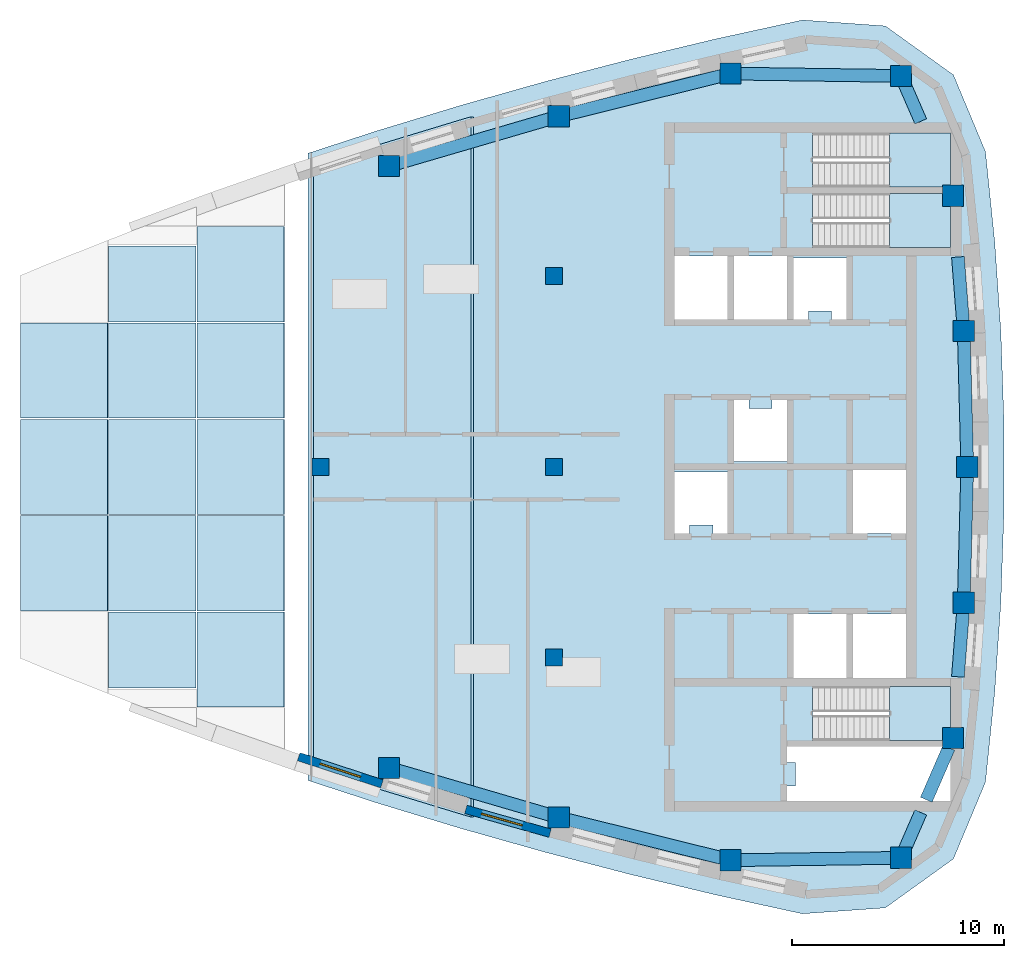
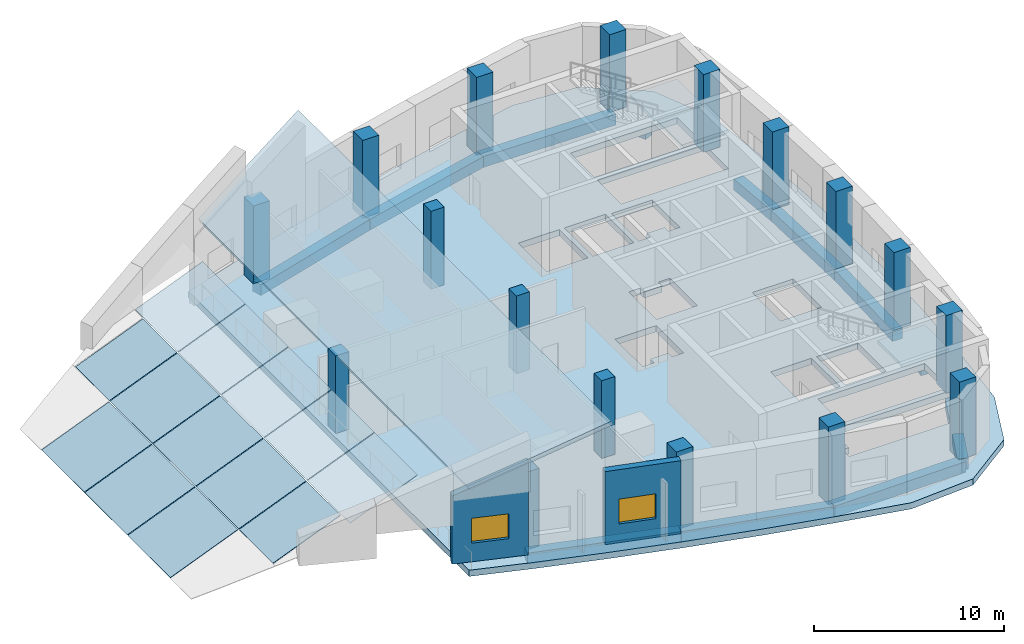
# One storey, part 1 of 8: 17 columns, 13 beams, 13 plates, 5 slabs, 2 walls, 2 windows, 6 openings, 6 elements without a shape of their own.
"""IFC4 building model written with IfcOpenShell, lengths in metres."""

from ifc_helpers import new_model, si_unit, direction, frame, frame_2d, origin, origin_2d, place, context, subcontext, project, spatial, polyline, rectangle, outline, extrude, material, layer, layer_set, material_profile, profile_set, type_object, element, fill, aggregate, save


model = new_model("IFC4")

# Units and contexts
model_context = context("Model", 3, precision=1e-05, world=origin(), true_north=direction((0.0, 1.0)))
body_context = subcontext(model_context, "Body", "Model", "MODEL_VIEW")
ifc_project = project(units=[si_unit("LENGTHUNIT", "METRE"), si_unit("AREAUNIT", "SQUARE_METRE"), si_unit("VOLUMEUNIT", "CUBIC_METRE"), si_unit("PLANEANGLEUNIT", "RADIAN"), si_unit("MASSUNIT", "GRAM", prefix="KILO")], contexts=[model_context])

# Site, building, storey
site_placement = place(None, origin())
site = spatial("IfcSite", under=ifc_project, at=site_placement, CompositionType="ELEMENT")
building_placement = place(site_placement, origin())
building = spatial("IfcBuilding", under=site, at=building_placement, Name="Ostrand Prow Hotel Tower", CompositionType="ELEMENT")
storey_placement = place(building_placement, frame((0.0, 0.0, 332.39990234375)))
storey = spatial("IfcBuildingStorey", under=building, at=storey_placement, Name="C6", CompositionType="ELEMENT", Elevation=332.39990234375)

# Columns
ifc_material_1 = material(Name="Concrete C40/50", Category="concrete")
ifc_material_profile_1 = material_profile(ifc_material_1, rectangle(XDim=0.800048828125, YDim=0.800048828125, at=origin_2d()), Name="RC 800x800")
ifc_profile_set_1 = profile_set([ifc_material_profile_1], Name="Concrete C40/50")
column_type_1 = type_object("IfcColumnType", Name="Interior column 800x800 C40/50", PredefinedType="COLUMN", material=ifc_profile_set_1)
for number, where, z_axis, x_axis, name in (
    (1, (34.0, 0.0, 0.0), (0.0, 0.0, 1.0), (1.0, 0.0, 0.0), "Interior column 34C0"),
    (2, (45.0, -9.0, 0.0), (0.0, 0.0, 1.0), (1.0, 0.0, 0.0), "Interior column 45S9"),
    (3, (45.0, 0.0, 0.0), (0.0, 0.0, 1.0), (1.0, 0.0, 0.0), "Interior column 45C0"),
    (4, (45.0, 9.0, 0.0), (0.0, 0.0, 1.0), (1.0, 0.0, 0.0), "Interior column 45N9"),
):
    element("IfcColumn", number, at=place(storey_placement, frame(where, z_axis=z_axis, x_axis=x_axis)), inside=storey, type_object=column_type_1, Name=name, PredefinedType="COLUMN", context=body_context, shape_type="SweptSolid", body=[
        extrude(rectangle(XDim=0.800048828125, YDim=0.800048828125, at=origin_2d()), origin(), (0.0, 0.0, 1.0), 5.0),
    ])
ifc_material_2 = material(Name="Concrete C40/50", Category="concrete")
ifc_material_profile_2 = material_profile(ifc_material_2, rectangle(XDim=1.0, YDim=1.0, at=origin_2d()), Name="RC 1000x1000")
ifc_profile_set_2 = profile_set([ifc_material_profile_2], Name="Concrete C40/50")
column_type_2 = type_object("IfcColumnType", Name="Stone-faced mega column 1000x1000 C40/50", PredefinedType="COLUMN", material=ifc_profile_set_2)
for number, where, z_axis, x_axis, name in (
    (5, (37.22119140625, -14.19580078125, 0.0), (0.0, 0.0, 1.0), (1.0, 0.0, 0.0), "Mega column S4"),
    (6, (45.234619140625, -16.53857421875, 0.0), (0.0, 0.0, 1.0), (1.0, 0.0, 0.0), "Mega column S5"),
    (7, (53.3369140625, -18.552978515625, 0.0), (0.0, 0.0, 1.0), (1.0, 0.0, 0.0), "Mega column S6"),
    (8, (61.374267578125, -18.439697265625, 0.0), (0.0, 0.0, 1.0), (1.0, 0.0, 0.0), "Mega column SE"),
    (9, (63.831787109375, -12.7890625, 0.0), (0.0, 0.0, 1.0), (1.0, 0.0, 0.0), "Mega column B1"),
    (10, (64.332763671875, -6.4033203125, 0.0), (0.0, 0.0, 1.0), (1.0, 0.0, 0.0), "Mega column B2"),
    (11, (64.5, 0.0, 0.0), (0.0, 0.0, 1.0), (1.0, 0.0, 0.0), "Mega column B3"),
    (12, (64.332763671875, 6.4033203125, 0.0), (0.0, 0.0, 1.0), (1.0, 0.0, 0.0), "Mega column B4"),
    (13, (63.831787109375, 12.7890625, 0.0), (0.0, 0.0, 1.0), (1.0, 0.0, 0.0), "Mega column B5"),
    (14, (61.374267578125, 18.439697265625, 0.0), (0.0, 0.0, 1.0), (1.0, 0.0, 0.0), "Mega column NE"),
    (15, (53.3369140625, 18.552978515625, 0.0), (0.0, 0.0, 1.0), (1.0, 0.0, 0.0), "Mega column N1"),
    (16, (45.234619140625, 16.53857421875, 0.0), (0.0, 0.0, 1.0), (1.0, 0.0, 0.0), "Mega column N2"),
    (17, (37.22119140625, 14.19580078125, 0.0), (0.0, 0.0, 1.0), (1.0, 0.0, 0.0), "Mega column N3"),
):
    element("IfcColumn", number, at=place(storey_placement, frame(where, z_axis=z_axis, x_axis=x_axis)), inside=storey, type_object=column_type_2, Name=name, PredefinedType="COLUMN", context=body_context, shape_type="SweptSolid", body=[
        extrude(rectangle(XDim=1.0, YDim=1.0, at=origin_2d()), origin(), (0.0, 0.0, 1.0), 5.0),
    ])

# Beams
ifc_material_3 = material(Name="Concrete C40/50", Category="concrete")
ifc_material_profile_3 = material_profile(ifc_material_3, rectangle(XDim=0.60009765625, YDim=0.699951171875, at=origin_2d()), Name="RC 600x700")
ifc_profile_set_3 = profile_set([ifc_material_profile_3], Name="Concrete C40/50")
beam_type = type_object("IfcBeamType", Name="Edge beam 600x700 C40/50", PredefinedType="SPANDREL", material=ifc_profile_set_3)
for number, where, z_axis, x_axis, name in (
    (18, (37.22119140625, -14.19580078125, -0.75), (0.959821966031, -0.280609681809, 0.0), (0.280609681809, 0.959821966031, 0.0), "Edge beam S4-S5"),
    (19, (45.234619140625, -16.53857421875, -0.75), (0.970456465292, -0.241276291775, 0.0), (0.241276291775, 0.970456465292, 0.0), "Edge beam S5-S6"),
):
    element("IfcBeam", number, at=place(storey_placement, frame(where, z_axis=z_axis, x_axis=x_axis)), inside=storey, type_object=beam_type, Name=name, PredefinedType="SPANDREL", context=body_context, shape_type="SweptSolid", body=[
        extrude(rectangle(XDim=0.60009765625, YDim=0.699951171875, at=origin_2d()), origin(), (0.0, 0.0, 1.0), 8.348876953125),
    ])
beam_1_placement = place(storey_placement, frame((53.3369140625, -18.552978515625, -0.75), z_axis=(0.999900689486, 0.014092947356, 0.0), x_axis=(-0.014092947356, 0.999900689486, 0.0)))
element("IfcBeam", 20, at=beam_1_placement, inside=storey, type_object=beam_type, Name="Edge beam S6-SE", PredefinedType="SPANDREL", context=body_context, shape_type="SweptSolid", body=[
    extrude(rectangle(XDim=0.60009765625, YDim=0.699951171875, at=origin_2d()), origin(), (0.0, 0.0, 1.0), 8.0380859375),
])
beam_2_placement = place(storey_placement, frame((61.374267578125, -18.439697265625, -0.75), z_axis=(0.398863844187, 0.91701016014, 0.0), x_axis=(-0.91701016014, 0.398863844187, 0.0)))
element("IfcBeam", 21, at=beam_2_placement, inside=storey, type_object=beam_type, Name="Edge beam SE-B1", PredefinedType="SPANDREL", context=body_context, shape_type="SweptSolid", body=[
    extrude(rectangle(XDim=0.60009765625, YDim=0.699951171875, at=origin_2d()), origin(), (0.0, 0.0, 1.0), 2.333251953125),
])
beam_3_placement = place(storey_placement, frame((62.56591796875, -15.699951171875, -0.75), z_axis=(0.398799624102, 0.917038090712, 0.0), x_axis=(-0.917038090712, 0.398799624102, 0.0)))
element("IfcBeam", 22, at=beam_3_placement, inside=storey, type_object=beam_type, Name="Edge beam SE-B1", PredefinedType="SPANDREL", context=body_context, shape_type="SweptSolid", body=[
    extrude(rectangle(XDim=0.60009765625, YDim=0.699951171875, at=origin_2d()), origin(), (0.0, 0.0, 1.0), 2.671630859375),
])
beam_4_placement = place(storey_placement, frame((64.058349609375, -9.89990234375, -0.75), z_axis=(0.078240080308, 0.996934546414, 0.0), x_axis=(-0.996934546414, 0.078240080308, 0.0)))
element("IfcBeam", 23, at=beam_4_placement, inside=storey, type_object=beam_type, Name="Edge beam B1-B2", PredefinedType="SPANDREL", context=body_context, shape_type="SweptSolid", body=[
    extrude(rectangle(XDim=0.60009765625, YDim=0.699951171875, at=origin_2d()), origin(), (0.0, 0.0, 1.0), 3.50732421875),
])
for number, where, z_axis, x_axis, name in (
    (24, (64.332763671875, -6.4033203125, -0.75), (0.026108223987, 0.999659122221, 0.0), (-0.999659122221, 0.026108223987, 0.0), "Edge beam B2-B3"),
    (25, (64.5, 0.0, -0.75), (-0.026108223987, 0.999659122221, 0.0), (-0.999659122221, -0.026108223987, 0.0), "Edge beam B3-B4"),
):
    element("IfcBeam", number, at=place(storey_placement, frame(where, z_axis=z_axis, x_axis=x_axis)), inside=storey, type_object=beam_type, Name=name, PredefinedType="SPANDREL", context=body_context, shape_type="SweptSolid", body=[
        extrude(rectangle(XDim=0.60009765625, YDim=0.699951171875, at=origin_2d()), origin(), (0.0, 0.0, 1.0), 6.405517578125),
    ])
beam_5_placement = place(storey_placement, frame((64.332763671875, 6.4033203125, -0.75), z_axis=(-0.078240080308, 0.996934546414, 0.0), x_axis=(-0.996934546414, -0.078240080308, 0.0)))
element("IfcBeam", 26, at=beam_5_placement, inside=storey, type_object=beam_type, Name="Edge beam B4-B5", PredefinedType="SPANDREL", context=body_context, shape_type="SweptSolid", body=[
    extrude(rectangle(XDim=0.60009765625, YDim=0.699951171875, at=origin_2d()), origin(), (0.0, 0.0, 1.0), 3.50732421875),
])
beam_6_placement = place(storey_placement, frame((62.304931640625, 16.300048828125, -0.75), z_axis=(-0.398863844187, 0.91701016014, 0.0), x_axis=(-0.91701016014, -0.398863844187, 0.0)))
element("IfcBeam", 27, at=beam_6_placement, inside=storey, type_object=beam_type, Name="Edge beam B5-NE", PredefinedType="SPANDREL", context=body_context, shape_type="SweptSolid", body=[
    extrude(rectangle(XDim=0.60009765625, YDim=0.699951171875, at=origin_2d()), origin(), (0.0, 0.0, 1.0), 2.333251953125),
])
beam_7_placement = place(storey_placement, frame((61.374267578125, 18.439697265625, -0.75), z_axis=(-0.999900689486, 0.014092947356, 0.0), x_axis=(-0.014092947356, -0.999900689486, 0.0)))
element("IfcBeam", 28, at=beam_7_placement, inside=storey, type_object=beam_type, Name="Edge beam NE-N1", PredefinedType="SPANDREL", context=body_context, shape_type="SweptSolid", body=[
    extrude(rectangle(XDim=0.60009765625, YDim=0.699951171875, at=origin_2d()), origin(), (0.0, 0.0, 1.0), 8.0380859375),
])
for number, where, z_axis, x_axis, name in (
    (29, (53.3369140625, 18.552978515625, -0.75), (-0.970456465292, -0.241276291775, 0.0), (0.241276291775, -0.970456465292, 0.0), "Edge beam N1-N2"),
    (30, (45.234619140625, 16.53857421875, -0.75), (-0.959821966031, -0.280609681809, 0.0), (0.280609681809, -0.959821966031, 0.0), "Edge beam N2-N3"),
):
    element("IfcBeam", number, at=place(storey_placement, frame(where, z_axis=z_axis, x_axis=x_axis)), inside=storey, type_object=beam_type, Name=name, PredefinedType="SPANDREL", context=body_context, shape_type="SweptSolid", body=[
        extrude(rectangle(XDim=0.60009765625, YDim=0.699951171875, at=origin_2d()), origin(), (0.0, 0.0, 1.0), 8.348876953125),
    ])

# Curtain wall, plates
ifc_material_4 = material(Name="Insulated glass in bronze anodised frame", Category="glass")
ifc_layer_1 = layer(ifc_material_4, 0.0400390625)
ifc_layer_set_1 = layer_set([ifc_layer_1], Name="Insulated glass in bronze anodised frame")
curtain_wall_type = type_object("IfcCurtainWallType", Name="Crown slanted glazing system", PredefinedType="NOTDEFINED", material=ifc_layer_set_1)
curtain_wall_1_placement = place(storey_placement, origin())
curtain_wall_1 = element("IfcCurtainWall", 31, at=curtain_wall_1_placement, inside=storey, type_object=curtain_wall_type, Name="CW5 run 4", PredefinedType="NOTDEFINED")
ifc_material_5 = material(Name="Ceramic-fritted glass", Category="glass")
ifc_layer_2 = layer(ifc_material_5, 0.0400390625)
ifc_layer_set_2 = layer_set([ifc_layer_2], Name="Ceramic-fritted glass")
plate_type_1 = type_object("IfcPlateType", Name="Crown glazing panel 40 mm", PredefinedType="CURTAIN_PANEL", material=ifc_layer_set_2)
plate_1_placement = place(storey_placement, frame((19.843017578125, -2.24560546875, -0.583251953125), z_axis=(-0.374578682632, 0.0, 0.927195130767), x_axis=(0.927195130767, 0.0, 0.374578682632)))
plate_1 = element("IfcPlate", 32, at=plate_1_placement, type_object=plate_type_1, Name="CW5 panel 4.5", PredefinedType="CURTAIN_PANEL", context=body_context, shape_type="SweptSolid", body=[
    extrude(outline(polyline([(0.0, 0.0), (4.433366361324117, 0.0), (4.433366361324117, 4.4912109375), (0.0, 4.4912109375), (0.0, 0.0)])), origin(), (0.0, 0.0, -1.0), 0.0400390625),
])
plate_2_placement = place(storey_placement, frame((19.843017578125, 2.295654296875, -0.583251953125), z_axis=(-0.374578682632, 0.0, 0.927195130767), x_axis=(0.927195130767, 0.0, 0.374578682632)))
plate_2 = element("IfcPlate", 33, at=plate_2_placement, type_object=plate_type_1, Name="CW5 panel 4.6", PredefinedType="CURTAIN_PANEL", context=body_context, shape_type="SweptSolid", body=[
    extrude(outline(polyline([(0.0, 0.0), (4.433366361324117, 0.0), (4.433366361324117, 4.491455078125), (0.0, 4.491455078125), (0.0, 0.0)])), origin(), (0.0, 0.0, -1.0), 0.0400390625),
])

curtain_wall_2_placement = place(storey_placement, origin())
curtain_wall_2 = element("IfcCurtainWall", 34, at=curtain_wall_2_placement, inside=storey, type_object=curtain_wall_type, Name="CW5 run 5", PredefinedType="NOTDEFINED")
plate_3_placement = place(storey_placement, frame((28.11376953125, -10.420166015625, 2.758056640625), z_axis=(-0.374597809374, 0.0, 0.927187403502), x_axis=(0.0, 1.0, 0.0)))
plate_3 = element("IfcPlate", 35, at=plate_3_placement, type_object=plate_type_1, Name="CW5 panel 5.3", PredefinedType="CURTAIN_PANEL", context=body_context, shape_type="SweptSolid", body=[
    extrude(outline(polyline([(0.0, 0.0), (3.583251953125, 0.0), (3.583251953125, 4.4331399962686415), (0.0, 4.4331399962686415), (0.0, 0.0)])), origin(), (0.0, 0.0, -1.0), 0.0400390625),
])
plate_4_placement = place(storey_placement, frame((24.00341796875, 2.295654296875, 1.097412109375), z_axis=(-0.374597809374, 0.0, 0.927187403502), x_axis=(0.927187403502, 0.0, 0.374597809374)))
plate_4 = element("IfcPlate", 36, at=plate_4_placement, type_object=plate_type_1, Name="CW5 panel 5.6", PredefinedType="CURTAIN_PANEL", context=body_context, shape_type="SweptSolid", body=[
    extrude(outline(polyline([(0.0, 0.0), (4.4331399962686415, 0.0), (4.4331399962686415, 4.491455078125001), (0.0, 4.491455078125001), (0.0, 0.0)])), origin(), (0.0, 0.0, -1.0), 0.0400390625),
])
plate_5_placement = place(storey_placement, frame((28.11376953125, 6.8369140625, 2.758056640625), z_axis=(-0.374597809374, 0.0, 0.927187403502), x_axis=(0.0, 1.0, 0.0)))
plate_5 = element("IfcPlate", 37, at=plate_5_placement, type_object=plate_type_1, Name="CW5 panel 5.7", PredefinedType="CURTAIN_PANEL", context=body_context, shape_type="SweptSolid", body=[
    extrude(outline(polyline([(0.0, 0.0), (3.583251953125, 0.0), (3.583251953125, 4.4331399962686415), (0.0, 4.4331399962686415), (0.0, 0.0)])), origin(), (0.0, 0.0, -1.0), 0.0400390625),
])

curtain_wall_3_placement = place(storey_placement, origin())
curtain_wall_3 = element("IfcCurtainWall", 38, at=curtain_wall_3_placement, inside=storey, type_object=curtain_wall_type, Name="CW5 run 6", PredefinedType="NOTDEFINED")
plate_6_placement = place(storey_placement, frame((28.163818359375, -11.328369140625, 2.7783203125), z_axis=(-0.374597809374, 0.0, 0.927187403502), x_axis=(0.927187403502, 0.0, 0.374597809374)))
plate_6 = element("IfcPlate", 39, at=plate_6_placement, type_object=plate_type_1, Name="CW5 panel 6.3", PredefinedType="CURTAIN_PANEL", context=body_context, shape_type="SweptSolid", body=[
    extrude(outline(polyline([(0.0, 0.0), (4.4331399962686415, 0.0), (4.4331399962686415, 4.491455078125001), (0.0, 4.491455078125001), (0.0, 0.0)])), origin(), (0.0, 0.0, -1.0), 0.0400390625),
])
plate_7_placement = place(storey_placement, frame((28.163818359375, -6.787109375, 2.7783203125), z_axis=(-0.374597809374, 0.0, 0.927187403502), x_axis=(0.927187403502, 0.0, 0.374597809374)))
plate_7 = element("IfcPlate", 40, at=plate_7_placement, type_object=plate_type_1, Name="CW5 panel 6.4", PredefinedType="CURTAIN_PANEL", context=body_context, shape_type="SweptSolid", body=[
    extrude(outline(polyline([(0.0, 0.0), (4.4331399962686415, 0.0), (4.4331399962686415, 4.491455078125001), (0.0, 4.491455078125001), (0.0, 0.0)])), origin(), (0.0, 0.0, -1.0), 0.0400390625),
])
plate_8_placement = place(storey_placement, frame((28.163818359375, 6.8369140625, 2.7783203125), z_axis=(-0.374597809374, 0.0, 0.927187403502), x_axis=(0.927187403502, 0.0, 0.374597809374)))
plate_8 = element("IfcPlate", 41, at=plate_8_placement, type_object=plate_type_1, Name="CW5 panel 6.7", PredefinedType="CURTAIN_PANEL", context=body_context, shape_type="SweptSolid", body=[
    extrude(outline(polyline([(0.0, 0.0), (4.4331399962686415, 0.0), (4.4331399962686415, 4.491455078125001), (0.0, 4.491455078125001), (0.0, 0.0)])), origin(), (0.0, 0.0, -1.0), 0.0400390625),
])

# Slab
ifc_material_6 = material(Name="Precast concrete C40/50", Category="concrete")
ifc_layer_3 = layer(ifc_material_6, 0.300048828125)
ifc_layer_set_3 = layer_set([ifc_layer_3], Name="Precast concrete C40/50")
slab_type_1 = type_object("IfcSlabType", Name="Crown roof deck 300 mm", PredefinedType="ROOF", material=ifc_layer_set_3)
slab_1_placement = place(storey_placement, frame((40.767578125, -16.4228515625, 7.830322265625), z_axis=(-0.374585279412, 0.0, 0.927192465698), x_axis=(0.896941380509, -0.253354682998, 0.362363856549)))
element("IfcSlab", 42, at=slab_1_placement, inside=storey, type_object=slab_type_1, Name="Crown roof deck C6.1", PredefinedType="ROOF", context=body_context, shape_type="SweptSolid", body=[
    extrude(outline(polyline([(0.0, 0.0), (0.35847102341066034, 6.938893903907228e-18), (-8.009161182620307, 31.94977568693179), (-8.321612703064625, 31.774061367660078), (-12.147227320395999, 29.527674736299296), (-15.168819345940067, 27.67584245400813), (-7.977034924035714, 0.21575656459684295), (-4.43562044831805, 0.08277279963065456), (0.0, 0.0)])), origin(), (0.0, 0.0, -1.0), 0.300048828125),
])

# Plate
ifc_material_7 = material(Name="Ceramic-fritted glass", Category="glass")
ifc_layer_4 = layer(ifc_material_7, 0.031982421875)
ifc_layer_set_4 = layer_set([ifc_layer_4], Name="Ceramic-fritted glass")
plate_type_2 = type_object("IfcPlateType", Name="Dot-fritted ceramic glass unit 32 mm", PredefinedType="CURTAIN_PANEL", material=ifc_layer_set_4)
plate_9_placement = place(storey_placement, frame((19.843017578125, -6.787109375, -0.583251953125), z_axis=(-0.374578682632, 0.0, 0.927195130767), x_axis=(0.927195130767, 0.0, 0.374578682632)))
plate_9 = element("IfcPlate", 43, at=plate_9_placement, type_object=plate_type_2, Name="CW5 panel 4.4", PredefinedType="CURTAIN_PANEL", context=body_context, shape_type="SweptSolid", body=[
    extrude(outline(polyline([(0.0, 0.0), (4.433366361324117, 0.0), (4.433366361324117, 4.491455078125), (0.0, 4.491455078125), (0.0, 0.0)])), origin(), (0.0, 0.0, -1.0), 0.0400390625),
])

aggregate(curtain_wall_1, [plate_9, plate_1, plate_2])

plate_10_placement = place(storey_placement, frame((24.00341796875, -6.787109375, 1.097412109375), z_axis=(-0.374597809374, 0.0, 0.927187403502), x_axis=(0.927187403502, 0.0, 0.374597809374)))
plate_10 = element("IfcPlate", 44, at=plate_10_placement, type_object=plate_type_2, Name="CW5 panel 5.4", PredefinedType="CURTAIN_PANEL", context=body_context, shape_type="SweptSolid", body=[
    extrude(outline(polyline([(0.0, 0.0), (4.4331399962686415, 0.0), (4.4331399962686415, 4.491455078125001), (0.0, 4.491455078125001), (0.0, 0.0)])), origin(), (0.0, 0.0, -1.0), 0.0400390625),
])

plate_11_placement = place(storey_placement, frame((24.00341796875, -2.24560546875, 1.097412109375), z_axis=(-0.374597809374, 0.0, 0.927187403502), x_axis=(0.927187403502, 0.0, 0.374597809374)))
plate_11 = element("IfcPlate", 45, at=plate_11_placement, type_object=plate_type_2, Name="CW5 panel 5.5", PredefinedType="CURTAIN_PANEL", context=body_context, shape_type="SweptSolid", body=[
    extrude(outline(polyline([(0.0, 0.0), (4.4331399962686415, 0.0), (4.4331399962686415, 4.491210937500001), (0.0, 4.491210937500001), (0.0, 0.0)])), origin(), (0.0, 0.0, -1.0), 0.0400390625),
])

aggregate(curtain_wall_2, [plate_3, plate_10, plate_11, plate_4, plate_5])

plate_12_placement = place(storey_placement, frame((28.163818359375, -2.24560546875, 2.7783203125), z_axis=(-0.374597809374, 0.0, 0.927187403502), x_axis=(0.927187403502, 0.0, 0.374597809374)))
plate_12 = element("IfcPlate", 46, at=plate_12_placement, type_object=plate_type_2, Name="CW5 panel 6.5", PredefinedType="CURTAIN_PANEL", context=body_context, shape_type="SweptSolid", body=[
    extrude(outline(polyline([(0.0, 0.0), (4.4331399962686415, 0.0), (4.4331399962686415, 4.491210937500001), (0.0, 4.491210937500001), (0.0, 0.0)])), origin(), (0.0, 0.0, -1.0), 0.0400390625),
])

plate_13_placement = place(storey_placement, frame((28.163818359375, 2.295654296875, 2.7783203125), z_axis=(-0.374597809374, 0.0, 0.927187403502), x_axis=(0.927187403502, 0.0, 0.374597809374)))
plate_13 = element("IfcPlate", 47, at=plate_13_placement, type_object=plate_type_2, Name="CW5 panel 6.6", PredefinedType="CURTAIN_PANEL", context=body_context, shape_type="SweptSolid", body=[
    extrude(outline(polyline([(0.0, 0.0), (4.4331399962686415, 0.0), (4.4331399962686415, 4.491455078125001), (0.0, 4.491455078125001), (0.0, 0.0)])), origin(), (0.0, 0.0, -1.0), 0.0400390625),
])

aggregate(curtain_wall_3, [plate_6, plate_7, plate_12, plate_13, plate_8])

# Slab, openings
ifc_material_8 = material(Name="Concrete C40/50", Category="concrete")
ifc_layer_5 = layer(ifc_material_8, 0.39990234375)
ifc_layer_set_5 = layer_set([ifc_layer_5], Name="Concrete C40/50")
slab_type_2 = type_object("IfcSlabType", Name="PT flat plate 400 C40/50", PredefinedType="FLOOR", material=ifc_layer_set_5)
slab_2_placement = place(storey_placement, frame((0.0, 0.0, -0.39990234375)))
slab_2 = element("IfcSlab", 48, at=slab_2_placement, inside=storey, type_object=slab_type_2, Name="Floor slab C6-1", PredefinedType="FLOOR", context=body_context, shape_type="SweptSolid", body=[
    extrude(outline(polyline([(36.61328125, 15.8388671875), (40.5849609375, 17.046630859375), (44.580078125, 18.17431640625), (48.596923828125, 19.221435546875), (52.634033203125, 20.187744140625), (56.72265625, 21.07958984375), (60.634765625, 20.80029296875), (63.84765625, 18.49072265625), (65.35888671875, 14.87060546875), (65.796875, 10.611083984375), (66.0869140625, 6.37158203125), (66.23193359375, 2.124755859375), (66.23193359375, -2.124755859375), (66.0869140625, -6.37158203125), (65.796875, -10.611083984375), (65.35888671875, -14.87060546875), (63.84765625, -18.49072265625), (60.634765625, -20.80029296875), (56.72265625, -21.07958984375), (52.634033203125, -20.187744140625), (48.596923828125, -19.221435546875), (44.580078125, -18.17431640625), (40.5849609375, -17.046630859375), (36.61328125, -15.8388671875), (33.413330078125, -14.795166015625), (33.413330078125, 14.795166015625), (36.61328125, 15.8388671875)]), holes=[polyline([(50.699951171875, 6.949951171875), (53.199951171875, 6.949951171875), (53.199951171875, 9.949951171875), (50.699951171875, 9.949951171875), (50.699951171875, 6.949951171875)]), polyline([(53.5, 6.949951171875), (56.0, 6.949951171875), (56.0, 9.949951171875), (53.5, 9.949951171875), (53.5, 6.949951171875)]), polyline([(59.10009765625, -3.14990234375), (61.60009765625, -3.14990234375), (61.60009765625, -0.14990234375), (59.10009765625, -0.14990234375), (59.10009765625, -3.14990234375)]), polyline([(56.300048828125, -9.949951171875), (58.800048828125, -9.949951171875), (58.800048828125, -6.949951171875), (56.300048828125, -6.949951171875), (56.300048828125, -9.949951171875)]), polyline([(59.10009765625, -9.949951171875), (61.60009765625, -9.949951171875), (61.60009765625, -6.949951171875), (59.10009765625, -6.949951171875), (59.10009765625, -9.949951171875)]), polyline([(57.200927734375, 10.35107421875), (57.200927734375, 12.89892578125), (63.718994140625, 12.89892578125), (63.718994140625, 10.35107421875), (57.200927734375, 10.35107421875)]), polyline([(57.200927734375, 13.200927734375), (57.200927734375, 15.7490234375), (63.718994140625, 15.7490234375), (63.718994140625, 13.200927734375), (57.200927734375, 13.200927734375)]), polyline([(57.200927734375, -12.89892578125), (57.200927734375, -10.35107421875), (63.718994140625, -10.35107421875), (63.718994140625, -12.89892578125), (57.200927734375, -12.89892578125)]), polyline([(58.800048828125, 6.949951171875), (58.10009765625, 6.949951171875), (58.10009765625, 7.35009765625), (57.0, 7.35009765625), (57.0, 6.949951171875), (56.300048828125, 6.949951171875), (56.300048828125, 9.85009765625), (58.800048828125, 9.85009765625), (58.800048828125, 6.949951171875)]), polyline([(55.300048828125, 2.75), (55.300048828125, 3.14990234375), (56.0, 3.14990234375), (56.0, 0.25), (53.5, 0.25), (53.5, 3.14990234375), (54.199951171875, 3.14990234375), (54.199951171875, 2.75), (55.300048828125, 2.75)]), polyline([(52.5, -2.75), (51.39990234375, -2.75), (51.39990234375, -3.14990234375), (50.699951171875, -3.14990234375), (50.699951171875, -0.25), (53.199951171875, -0.25), (53.199951171875, -3.14990234375), (52.5, -3.14990234375), (52.5, -2.75)]), polyline([(56.39990234375, -15.050048828125), (56.39990234375, -13.949951171875), (56.0, -13.949951171875), (56.0, -13.199951171875), (63.719970703125, -13.199951171875), (63.719970703125, -15.75), (56.0, -15.75), (56.0, -15.050048828125), (56.39990234375, -15.050048828125)])]), origin(), (0.0, 0.0, 1.0), 0.39990234375),
])
opening_1_placement = place(slab_2_placement, origin())
element("IfcOpeningElement", 49, at=opening_1_placement, cuts=slab_2, Name="Shaft opening 1", PredefinedType="OPENING", context=body_context, shape_type="SweptSolid", body=[
    extrude(outline(polyline([(58.800048828125, 6.949951171875), (58.10009765625, 6.949951171875), (58.10009765625, 7.35009765625), (57.0, 7.35009765625), (57.0, 6.949951171875), (56.300048828125, 6.949951171875), (56.300048828125, 9.85009765625), (58.800048828125, 9.85009765625), (58.800048828125, 6.949951171875)])), origin(), (0.0, 0.0, 1.0), 0.39990234375),
])
opening_2_placement = place(slab_2_placement, origin())
element("IfcOpeningElement", 50, at=opening_2_placement, cuts=slab_2, Name="Shaft opening 2", PredefinedType="OPENING", context=body_context, shape_type="SweptSolid", body=[
    extrude(outline(polyline([(55.300048828125, 2.75), (55.300048828125, 3.14990234375), (56.0, 3.14990234375), (56.0, 0.25), (53.5, 0.25), (53.5, 3.14990234375), (54.199951171875, 3.14990234375), (54.199951171875, 2.75), (55.300048828125, 2.75)])), origin(), (0.0, 0.0, 1.0), 0.39990234375),
])
opening_3_placement = place(slab_2_placement, origin())
element("IfcOpeningElement", 51, at=opening_3_placement, cuts=slab_2, Name="Shaft opening 3", PredefinedType="OPENING", context=body_context, shape_type="SweptSolid", body=[
    extrude(outline(polyline([(52.5, -2.75), (51.39990234375, -2.75), (51.39990234375, -3.14990234375), (50.699951171875, -3.14990234375), (50.699951171875, -0.25), (53.199951171875, -0.25), (53.199951171875, -3.14990234375), (52.5, -3.14990234375), (52.5, -2.75)])), origin(), (0.0, 0.0, 1.0), 0.39990234375),
])
opening_4_placement = place(slab_2_placement, origin())
element("IfcOpeningElement", 52, at=opening_4_placement, cuts=slab_2, Name="Shaft opening 4", PredefinedType="OPENING", context=body_context, shape_type="SweptSolid", body=[
    extrude(outline(polyline([(56.39990234375, -15.050048828125), (56.39990234375, -13.949951171875), (56.0, -13.949951171875), (56.0, -13.199951171875), (63.719970703125, -13.199951171875), (63.719970703125, -15.75), (56.0, -15.75), (56.0, -15.050048828125), (56.39990234375, -15.050048828125)])), origin(), (0.0, 0.0, 1.0), 0.39990234375),
])

# Stair, slab
ifc_material_9 = material(Name="Concrete C40/50", Category="concrete")
stair_type = type_object("IfcStairType", Name="Exit stair 1200 upper zone", PredefinedType="HALF_TURN_STAIR", material=ifc_material_9)
stair_1_placement = place(storey_placement, origin())
stair_1 = element("IfcStair", 53, at=stair_1_placement, inside=storey, type_object=stair_type, Name="C6 ST1C", PredefinedType="HALF_TURN_STAIR")
ifc_material_10 = material(Name="Concrete C40/50", Category="concrete")
ifc_layer_6 = layer(ifc_material_10, 0.199951171875)
ifc_layer_set_6 = layer_set([ifc_layer_6], Name="Concrete C40/50")
slab_type_3 = type_object("IfcSlabType", Name="Stair landing 200 concrete", PredefinedType="LANDING", material=ifc_layer_set_6)
slab_3_placement = place(storey_placement, frame((0.0, 0.0, 2.300048828125)))
slab_3 = element("IfcSlab", 54, at=slab_3_placement, type_object=slab_type_3, Name="ST1C landing 1", PredefinedType="LANDING", context=body_context, shape_type="SweptSolid", body=[
    extrude(outline(polyline([(60.840087890625, 10.35009765625), (63.719970703125, 10.35009765625), (63.719970703125, 12.89990234375), (60.840087890625, 12.89990234375), (60.840087890625, 10.35009765625)])), origin(), (0.0, 0.0, 1.0), 0.199951171875),
])
aggregate(stair_1, [slab_3])

stair_2_placement = place(storey_placement, origin())
stair_2 = element("IfcStair", 55, at=stair_2_placement, inside=storey, type_object=stair_type, Name="C6 ST3C", PredefinedType="HALF_TURN_STAIR")
slab_4_placement = place(storey_placement, frame((0.0, 0.0, 2.300048828125)))
slab_4 = element("IfcSlab", 56, at=slab_4_placement, type_object=slab_type_3, Name="ST3C landing 1", PredefinedType="LANDING", context=body_context, shape_type="SweptSolid", body=[
    extrude(outline(polyline([(60.840087890625, 13.199951171875), (63.719970703125, 13.199951171875), (63.719970703125, 15.75), (60.840087890625, 15.75), (60.840087890625, 13.199951171875)])), origin(), (0.0, 0.0, 1.0), 0.199951171875),
])
aggregate(stair_2, [slab_4])

stair_3_placement = place(storey_placement, origin())
stair_3 = element("IfcStair", 57, at=stair_3_placement, inside=storey, type_object=stair_type, Name="C6 ST2C", PredefinedType="HALF_TURN_STAIR")
slab_5_placement = place(storey_placement, frame((0.0, 0.0, 2.300048828125)))
slab_5 = element("IfcSlab", 58, at=slab_5_placement, type_object=slab_type_3, Name="ST2C landing 1", PredefinedType="LANDING", context=body_context, shape_type="SweptSolid", body=[
    extrude(outline(polyline([(60.840087890625, -12.89990234375), (63.719970703125, -12.89990234375), (63.719970703125, -10.35009765625), (60.840087890625, -10.35009765625), (60.840087890625, -12.89990234375)])), origin(), (0.0, 0.0, 1.0), 0.199951171875),
])
aggregate(stair_3, [slab_5])

# Wall, opening, window
ifc_material_11 = material(Name="Precast concrete C40/50", Category="concrete")
ifc_layer_7 = layer(ifc_material_11, 0.39990234375)
ifc_layer_set_7 = layer_set([ifc_layer_7], Name="Precast concrete C40/50")
wall_type = type_object("IfcWallType", Name="Stone-faced precast wall 400 mm", PredefinedType="NOTDEFINED", material=ifc_layer_set_7)
wall_1_placement = place(storey_placement, frame((32.964111328125, -13.67041015625, 0.0), z_axis=(0.0, 0.0, 1.0), x_axis=(0.950701822842, -0.310106504356, 0.0)))
wall_1 = element("IfcWall", 59, at=wall_1_placement, inside=storey, type_object=wall_type, Name="Crown side wall C6 10", PredefinedType="NOTDEFINED", context=body_context, shape_type="SweptSolid", body=[
    extrude(outline(polyline([(0.0, 0.0), (4.13232421875, 0.0), (4.132568359375, 5.96484375), (0.0, 4.377685546875), (0.0, 0.0)])), frame((0.0, 0.199951171875, 0.0), z_axis=(0.0, -1.0, 0.0), x_axis=(1.0, 0.0, 0.0)), (0.0, 0.0, 1.0), 0.39990234375),
])
opening_5_placement = place(wall_1_placement, frame((1.06640625, 0.0, 1.199951171875)))
opening_5 = element("IfcOpeningElement", 60, at=opening_5_placement, cuts=wall_1, Name="Opening WV1", PredefinedType="OPENING", context=body_context, shape_type="SweptSolid", body=[
    extrude(rectangle(XDim=2.0, YDim=1.60009765625, at=frame_2d((1.0, 0.800048828125))), frame((0.0, 0.2099609375, 0.0), z_axis=(0.0, -1.0, 0.0), x_axis=(1.0, 0.0, 0.0)), (0.0, 0.0, 1.0), 0.419921875),
])
ifc_material_12 = material(Name="Bronze anodised aluminium louvre", Category="aluminium")
window_type = type_object("IfcWindowType", Name="Louvre vent 2000x1600", PartitioningType="SINGLE_PANEL", PredefinedType="WINDOW", material=ifc_material_12)
window_1_placement = place(opening_5_placement, origin())
window_1 = element("IfcWindow", 61, at=window_1_placement, inside=storey, type_object=window_type, Name="Louvre vent 10.1", OverallHeight=1.60009765625, OverallWidth=2.0, PartitioningType="SINGLE_PANEL", PredefinedType="WINDOW", context=body_context, shape_type="SweptSolid", body=[
    extrude(rectangle(XDim=2.0, YDim=1.60009765625, at=frame_2d((1.0, 0.800048828125))), frame((0.0, 0.030029296875, 0.0), z_axis=(0.0, -1.0, 0.0), x_axis=(1.0, 0.0, 0.0)), (0.0, 0.0, 1.0), 0.06005859375),
])
fill(opening_5, window_1)

wall_2_placement = place(storey_placement, frame((40.846435546875, -16.154296875, 0.0), z_axis=(0.0, 0.0, 1.0), x_axis=(0.962397415317, -0.27164538463, 0.0)))
wall_2 = element("IfcWall", 62, at=wall_2_placement, inside=storey, type_object=wall_type, Name="Crown side wall C6 12", PredefinedType="NOTDEFINED", context=body_context, shape_type="SweptSolid", body=[
    extrude(rectangle(XDim=4.13232421875, YDim=0.39990234375, at=frame_2d((2.066162109375, 0.0))), origin(), (0.0, 0.0, 1.0), 4.7001953125),
])
opening_6_placement = place(wall_2_placement, frame((0.766357421875, 0.0, 1.199951171875)))
opening_6 = element("IfcOpeningElement", 63, at=opening_6_placement, cuts=wall_2, Name="Opening WV1", PredefinedType="OPENING", context=body_context, shape_type="SweptSolid", body=[
    extrude(rectangle(XDim=2.0, YDim=1.60009765625, at=frame_2d((1.0, 0.800048828125))), frame((0.0, 0.2099609375, 0.0), z_axis=(0.0, -1.0, 0.0), x_axis=(1.0, 0.0, 0.0)), (0.0, 0.0, 1.0), 0.419921875),
])
window_2_placement = place(opening_6_placement, origin())
window_2 = element("IfcWindow", 64, at=window_2_placement, inside=storey, type_object=window_type, Name="Louvre vent 12.1", OverallHeight=1.60009765625, OverallWidth=2.0, PartitioningType="SINGLE_PANEL", PredefinedType="WINDOW", context=body_context, shape_type="SweptSolid", body=[
    extrude(rectangle(XDim=2.0, YDim=1.60009765625, at=frame_2d((1.0, 0.800048828125))), frame((0.0, 0.030029296875, 0.0), z_axis=(0.0, -1.0, 0.0), x_axis=(1.0, 0.0, 0.0)), (0.0, 0.0, 1.0), 0.06005859375),
])
fill(opening_6, window_2)

save(model, "model.ifc")
